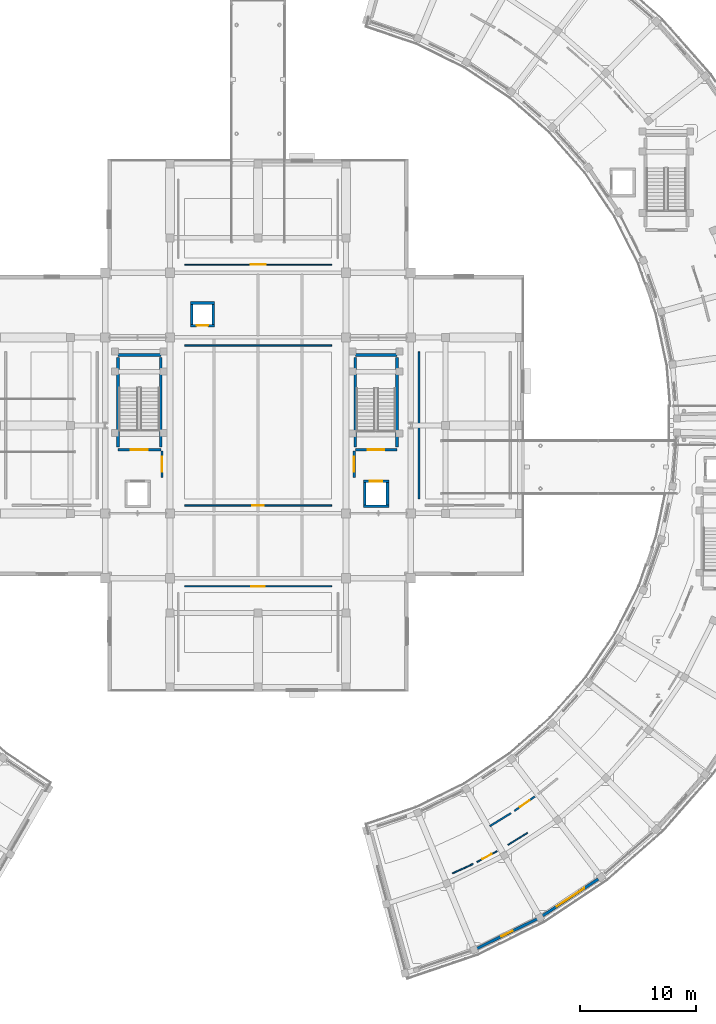
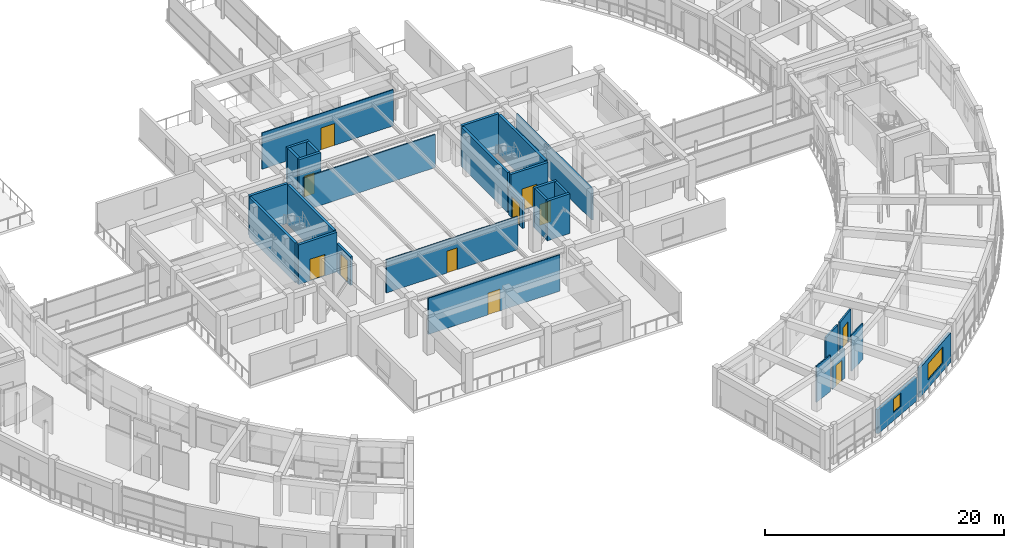
# One storey, part 48 of 70: 30 walls, 11 doors, 2 windows, 13 openings.
"""IFC4 building model written with IfcOpenShell, lengths in metres."""

from ifc_helpers import new_model, si_unit, direction, frame, frame_2d, origin, place, context, subcontext, project, spatial, rectangle, extrude, material, layer, layer_set, type_object, element, fill, save


model = new_model("IFC4")

# Units and contexts
model_context = context("Model", 3, precision=1e-05, world=origin(), true_north=direction((0.0, 1.0)))
body_context = subcontext(model_context, "Body", "Model", "MODEL_VIEW")
ifc_project = project(units=[si_unit("LENGTHUNIT", "METRE"), si_unit("AREAUNIT", "SQUARE_METRE"), si_unit("VOLUMEUNIT", "CUBIC_METRE"), si_unit("PLANEANGLEUNIT", "RADIAN"), si_unit("MASSUNIT", "GRAM", prefix="KILO")], contexts=[model_context])

# Site, building, storey
site_placement = place(None, origin())
site = spatial("IfcSite", under=ifc_project, at=site_placement, CompositionType="ELEMENT")
building_placement = place(site_placement, origin())
building = spatial("IfcBuilding", under=site, at=building_placement, Name="Saryqyr Civic Hall", CompositionType="ELEMENT")
storey_placement = place(building_placement, frame((0.0, 0.0, 13.199951171875)))
storey = spatial("IfcBuildingStorey", under=building, at=storey_placement, Name="L03", CompositionType="ELEMENT", Elevation=13.199951171875)

# Wall, opening, window
ifc_material_1 = material(Name="Precast concrete C40/50", Category="concrete")
ifc_layer_1 = layer(ifc_material_1, 0.239990234375, Name="Precast concrete C40/50")
ifc_layer_set_1 = layer_set([ifc_layer_1], Name="Precast concrete C40/50")
wall_type_1 = type_object("IfcWallType", Name="ENV-WAL-EXT-240", PredefinedType="STANDARD", material=ifc_layer_set_1)
wall_1_placement = place(storey_placement, frame((81.1240234375, 41.368408203125, 0.0), z_axis=(0.0, 0.0, 1.0), x_axis=(-0.897990135392, -0.440015586927, 0.0)))
wall_1 = element("IfcWall", 1, at=wall_1_placement, inside=storey, type_object=wall_type_1, Name="Exterior wall V5-EWO-L03-01", PredefinedType="STANDARD", context=body_context, shape_type="SweptSolid", body=[
    extrude(rectangle(XDim=5.8046875, YDim=0.239990234375, at=frame_2d((2.90234375, 0.0))), origin(), (0.0, 0.0, 1.0), 2.449951171875),
])
opening_1_placement = place(wall_1_placement, frame((2.35205078125, 0.0, 0.85009765625)))
opening_1 = element("IfcOpeningElement", 2, at=opening_1_placement, cuts=wall_1, Name="Opening W-01", PredefinedType="OPENING", context=body_context, shape_type="SweptSolid", body=[
    extrude(rectangle(XDim=1.10009765625, YDim=1.35009765625, at=frame_2d((0.550048828125, 0.675048828125))), frame((0.0, 0.1298828125, 0.0), z_axis=(0.0, -1.0, 0.0), x_axis=(1.0, 0.0, 0.0)), (0.0, 0.0, 1.0), 0.260009765625),
])
ifc_material_2 = material(Name="Anodised aluminium and triple low-E glass", Category="aluminium")
window_type_1 = type_object("IfcWindowType", Name="ENV-WIN-W01", PartitioningType="SINGLE_PANEL", PredefinedType="WINDOW", material=ifc_material_2)
window_1_placement = place(opening_1_placement, origin())
window_1 = element("IfcWindow", 3, at=window_1_placement, inside=storey, type_object=window_type_1, Name="Exterior ribbon window V5-L03-01", OverallHeight=1.35009765625, OverallWidth=1.10009765625, PartitioningType="SINGLE_PANEL", PredefinedType="WINDOW", context=body_context, shape_type="SweptSolid", body=[
    extrude(rectangle(XDim=1.10009765625, YDim=1.35009765625, at=frame_2d((0.550048828125, 0.675048828125))), frame((0.0, 0.030029296875, 0.0), z_axis=(0.0, -1.0, 0.0), x_axis=(1.0, 0.0, 0.0)), (0.0, 0.0, 1.0), 0.06005859375),
])
fill(opening_1, window_1)

wall_2_placement = place(storey_placement, frame((86.400634765625, 44.822265625, 0.0), z_axis=(0.0, 0.0, 1.0), x_axis=(-0.833772811773, -0.552107687276, 0.0)))
wall_2 = element("IfcWall", 4, at=wall_2_placement, inside=storey, type_object=wall_type_1, Name="Exterior wall V5-EWO-L03-02", PredefinedType="STANDARD", context=body_context, shape_type="SweptSolid", body=[
    extrude(rectangle(XDim=5.764892578125, YDim=0.239990234375, at=frame_2d((2.88232421875, 0.0))), origin(), (0.0, 0.0, 1.0), 3.01513671875),
])
opening_2_placement = place(wall_2_placement, frame((1.45703125, 0.0, 0.85009765625)))
opening_2 = element("IfcOpeningElement", 5, at=opening_2_placement, cuts=wall_2, Name="Opening W-24", PredefinedType="OPENING", context=body_context, shape_type="SweptSolid", body=[
    extrude(rectangle(XDim=2.85009765625, YDim=1.64990234375, at=frame_2d((1.425048828125, 0.824951171875))), frame((0.0, 0.1298828125, 0.0), z_axis=(0.0, -1.0, 0.0), x_axis=(1.0, 0.0, 0.0)), (0.0, 0.0, 1.0), 0.260009765625),
])
window_type_2 = type_object("IfcWindowType", Name="ENV-WIN-W24", PartitioningType="SINGLE_PANEL", PredefinedType="WINDOW", material=ifc_material_2)
window_2_placement = place(opening_2_placement, origin())
window_2 = element("IfcWindow", 6, at=window_2_placement, inside=storey, type_object=window_type_2, Name="Exterior ribbon window V5-L03-02", OverallHeight=1.64990234375, OverallWidth=2.85009765625, PartitioningType="SINGLE_PANEL", PredefinedType="WINDOW", context=body_context, shape_type="SweptSolid", body=[
    extrude(rectangle(XDim=2.85009765625, YDim=1.64990234375, at=frame_2d((1.425048828125, 0.824951171875))), frame((0.0, 0.030029296875, 0.0), z_axis=(0.0, -1.0, 0.0), x_axis=(1.0, 0.0, 0.0)), (0.0, 0.0, 1.0), 0.06005859375),
])
fill(opening_2, window_2)

# Wall, opening, door
ifc_material_3 = material(Name="Autoclaved aerated concrete blockwork", Category="masonry")
ifc_layer_2 = layer(ifc_material_3, 0.199951171875, Name="Autoclaved aerated concrete blockwork")
ifc_layer_set_2 = layer_set([ifc_layer_2], Name="Autoclaved aerated concrete blockwork")
wall_type_2 = type_object("IfcWallType", Name="INT-WAL-FIR-200", PredefinedType="PARTITIONING", material=ifc_layer_set_2)
wall_3_placement = place(storey_placement, frame((48.699951171875, 81.800048828125, 0.0), z_axis=(0.0, 0.0, 1.0), x_axis=(0.0, -1.0, 0.0)))
wall_3 = element("IfcWall", 7, at=wall_3_placement, inside=storey, type_object=wall_type_2, Name="Firefighting lift lobby enclosure wall LF-01 L03", PredefinedType="PARTITIONING", context=body_context, shape_type="SweptSolid", body=[
    extrude(rectangle(XDim=2.300048828125, YDim=0.199951171875, at=frame_2d((1.14990234375, 0.0))), origin(), (0.0, 0.0, 1.0), 2.900146484375),
])
opening_3_placement = place(wall_3_placement, frame((0.5, 0.0, 0.0)))
opening_3 = element("IfcOpeningElement", 8, at=opening_3_placement, cuts=wall_3, Name="Opening FD-01", PredefinedType="OPENING", context=body_context, shape_type="SweptSolid", body=[
    extrude(rectangle(XDim=1.300048828125, YDim=2.199951171875, at=frame_2d((0.64990234375, 1.10009765625))), frame((0.0, 0.10986328125, 0.0), z_axis=(0.0, -1.0, 0.0), x_axis=(1.0, 0.0, 0.0)), (0.0, 0.0, 1.0), 0.219970703125),
])
ifc_material_4 = material(Name="Painted galvanized steel", Category="steel")
door_type_1 = type_object("IfcDoorType", Name="INT-DR-FFLOB-1300x2200", OperationType="NOTDEFINED", PredefinedType="DOOR", material=ifc_material_4)
door_1_placement = place(opening_3_placement, origin())
door_1 = element("IfcDoor", 9, at=door_1_placement, inside=storey, type_object=door_type_1, Name="Firefighting lift lobby smoke-control door LF-01 L03", OperationType="SINGLE_SWING_LEFT", OverallHeight=2.199951171875, OverallWidth=1.300048828125, PredefinedType="DOOR", context=body_context, shape_type="SweptSolid", body=[
    extrude(rectangle(XDim=1.300048828125, YDim=2.199951171875, at=frame_2d((0.64990234375, 1.10009765625))), frame((0.0, 0.02490234375, 0.0), z_axis=(0.0, -1.0, 0.0), x_axis=(1.0, 0.0, 0.0)), (0.0, 0.0, 1.0), 0.050048828125),
])
fill(opening_3, door_1)

wall_4_placement = place(storey_placement, frame((65.300048828125, 79.5, 0.0), z_axis=(0.0, 0.0, 1.0), x_axis=(0.0, 1.0, 0.0)))
wall_4 = element("IfcWall", 10, at=wall_4_placement, inside=storey, type_object=wall_type_2, Name="Firefighting lift lobby enclosure wall LF-02 L03", PredefinedType="PARTITIONING", context=body_context, shape_type="SweptSolid", body=[
    extrude(rectangle(XDim=2.300048828125, YDim=0.199951171875, at=frame_2d((1.14990234375, 0.0))), origin(), (0.0, 0.0, 1.0), 2.900146484375),
])
opening_4_placement = place(wall_4_placement, frame((0.5, 0.0, 0.0)))
opening_4 = element("IfcOpeningElement", 11, at=opening_4_placement, cuts=wall_4, Name="Opening FD-01", PredefinedType="OPENING", context=body_context, shape_type="SweptSolid", body=[
    extrude(rectangle(XDim=1.300048828125, YDim=2.199951171875, at=frame_2d((0.64990234375, 1.10009765625))), frame((0.0, 0.10986328125, 0.0), z_axis=(0.0, -1.0, 0.0), x_axis=(1.0, 0.0, 0.0)), (0.0, 0.0, 1.0), 0.219970703125),
])
door_2_placement = place(opening_4_placement, origin())
door_2 = element("IfcDoor", 12, at=door_2_placement, inside=storey, type_object=door_type_1, Name="Firefighting lift lobby smoke-control door LF-02 L03", OperationType="SINGLE_SWING_RIGHT", OverallHeight=2.199951171875, OverallWidth=1.300048828125, PredefinedType="DOOR", context=body_context, shape_type="SweptSolid", body=[
    extrude(rectangle(XDim=1.300048828125, YDim=2.199951171875, at=frame_2d((0.64990234375, 1.10009765625))), frame((0.0, 0.02490234375, 0.0), z_axis=(0.0, -1.0, 0.0), x_axis=(1.0, 0.0, 0.0)), (0.0, 0.0, 1.0), 0.050048828125),
])
fill(opening_4, door_2)

ifc_material_5 = material(Name="Lightweight demountable partition", Category="gypsum")
ifc_layer_3 = layer(ifc_material_5, 0.094970703125, Name="Lightweight demountable partition")
ifc_layer_set_3 = layer_set([ifc_layer_3], Name="Lightweight demountable partition")
wall_type_3 = type_object("IfcWallType", Name="INT-WAL-PRT-095", PredefinedType="PARTITIONING", material=ifc_layer_set_3)
wall_5_placement = place(storey_placement, frame((63.35009765625, 97.89990234375, 0.0), z_axis=(0.0, 0.0, 1.0), x_axis=(-1.0, 0.0, 0.0)))
wall_5 = element("IfcWall", 13, at=wall_5_placement, inside=storey, type_object=wall_type_3, Name="Interior partition PRT-SP-V1-L03-R03-W1", PredefinedType="PARTITIONING", context=body_context, shape_type="SweptSolid", body=[
    extrude(rectangle(XDim=12.7001953125, YDim=0.094970703125, at=frame_2d((6.35009765625, 0.0))), origin(), (0.0, 0.0, 1.0), 3.699951171875),
])
opening_5_placement = place(wall_5_placement, frame((5.699951171875, 0.0, 0.0)))
opening_5 = element("IfcOpeningElement", 14, at=opening_5_placement, cuts=wall_5, Name="Opening D-12", PredefinedType="OPENING", context=body_context, shape_type="SweptSolid", body=[
    extrude(rectangle(XDim=1.300048828125, YDim=2.219970703125, at=frame_2d((0.64990234375, 1.10986328125))), frame((0.0, 0.057373046875, 0.0), z_axis=(0.0, -1.0, 0.0), x_axis=(1.0, 0.0, 0.0)), (0.0, 0.0, 1.0), 0.114990234375),
])
ifc_material_6 = material(Name="Acoustic solid-core oak veneer", Category="wood")
door_type_2 = type_object("IfcDoorType", Name="INT-DR-D-12", OperationType="NOTDEFINED", PredefinedType="DOOR", material=ifc_material_6)
door_3_placement = place(opening_5_placement, origin())
door_3 = element("IfcDoor", 15, at=door_3_placement, inside=storey, type_object=door_type_2, Name="Interior door Members' Policy Briefing Salon", OperationType="SINGLE_SWING_LEFT", OverallHeight=2.219970703125, OverallWidth=1.300048828125, PredefinedType="DOOR", context=body_context, shape_type="SweptSolid", body=[
    extrude(rectangle(XDim=1.300048828125, YDim=2.219970703125, at=frame_2d((0.64990234375, 1.10986328125))), frame((0.0, 0.02490234375, 0.0), z_axis=(0.0, -1.0, 0.0), x_axis=(1.0, 0.0, 0.0)), (0.0, 0.0, 1.0), 0.050048828125),
])
fill(opening_5, door_3)

ifc_material_7 = material(Name="Moisture-resistant gypsum partition", Category="gypsum")
ifc_layer_4 = layer(ifc_material_7, 0.110107421875, Name="Moisture-resistant gypsum partition")
ifc_layer_set_4 = layer_set([ifc_layer_4], Name="Moisture-resistant gypsum partition")
wall_type_4 = type_object("IfcWallType", Name="INT-WAL-PRT-110", PredefinedType="PARTITIONING", material=ifc_layer_set_4)
wall_6_placement = place(storey_placement, frame((75.9140625, 46.281982421875, 0.0), z_axis=(0.0, 0.0, 1.0), x_axis=(0.88111990472, 0.472892919705, 0.0)))
wall_6 = element("IfcWall", 16, at=wall_6_placement, inside=storey, type_object=wall_type_4, Name="Interior partition PRT-SP-V5-L03-R01-W1", PredefinedType="PARTITIONING", context=body_context, shape_type="SweptSolid", body=[
    extrude(rectangle(XDim=1.967041015625, YDim=0.110107421875, at=frame_2d((0.9833984375, 0.0))), origin(), (0.0, 0.0, 1.0), 3.01513671875),
])
opening_6_placement = place(wall_6_placement, frame((0.533935546875, 0.0, 0.0)))
opening_6 = element("IfcOpeningElement", 17, at=opening_6_placement, cuts=wall_6, Name="Opening D-01", PredefinedType="OPENING", context=body_context, shape_type="SweptSolid", body=[
    extrude(rectangle(XDim=0.89990234375, YDim=2.10009765625, at=frame_2d((0.449951171875, 1.050048828125))), frame((0.0, 0.06494140625, 0.0), z_axis=(0.0, -1.0, 0.0), x_axis=(1.0, 0.0, 0.0)), (0.0, 0.0, 1.0), 0.130126953125),
])
door_type_3 = type_object("IfcDoorType", Name="INT-DR-D-01", OperationType="NOTDEFINED", PredefinedType="DOOR", material=ifc_material_6)
door_4_placement = place(opening_6_placement, origin())
door_4 = element("IfcDoor", 18, at=door_4_placement, inside=storey, type_object=door_type_3, Name="Interior door Municipal Finance & Treasury Department", OperationType="SINGLE_SWING_LEFT", OverallHeight=2.10009765625, OverallWidth=0.89990234375, PredefinedType="DOOR", context=body_context, shape_type="SweptSolid", body=[
    extrude(rectangle(XDim=0.89990234375, YDim=2.10009765625, at=frame_2d((0.449951171875, 1.050048828125))), frame((0.0, 0.02490234375, 0.0), z_axis=(0.0, -1.0, 0.0), x_axis=(1.0, 0.0, 0.0)), (0.0, 0.0, 1.0), 0.050048828125),
])
fill(opening_6, door_4)

# Walls
wall_7_placement = place(storey_placement, frame((73.802490234375, 45.3046875, 0.0), z_axis=(0.0, 0.0, 1.0), x_axis=(0.90958706954, 0.415513372741, 0.0)))
element("IfcWall", 19, at=wall_7_placement, inside=storey, type_object=wall_type_4, Name="Interior partition PRT-SP-V5-L03-R01-W2", PredefinedType="PARTITIONING", context=body_context, shape_type="SweptSolid", body=[
    extrude(rectangle(XDim=1.96728515625, YDim=0.110107421875, at=frame_2d((0.983642578125, 0.0))), origin(), (0.0, 0.0, 1.0), 3.699951171875),
])
wall_8_placement = place(storey_placement, frame((78.598876953125, 47.7626953125, 0.0), z_axis=(0.0, 0.0, 1.0), x_axis=(0.849181532579, 0.528101055411, 0.0)))
element("IfcWall", 20, at=wall_8_placement, inside=storey, type_object=wall_type_4, Name="Interior partition PRT-SP-V5-L03-R01-W3", PredefinedType="PARTITIONING", context=body_context, shape_type="SweptSolid", body=[
    extrude(rectangle(XDim=1.967041015625, YDim=0.110107421875, at=frame_2d((0.9833984375, 0.0))), origin(), (0.0, 0.0, 1.0), 3.699951171875),
])

# Wall, opening, door
wall_9_placement = place(storey_placement, frame((50.64990234375, 70.10009765625, 0.0), z_axis=(0.0, 0.0, 1.0), x_axis=(1.0, 0.0, 0.0)))
wall_9 = element("IfcWall", 21, at=wall_9_placement, inside=storey, type_object=wall_type_4, Name="Interior partition PRT-SP-V1-L03-R02-W1", PredefinedType="PARTITIONING", context=body_context, shape_type="SweptSolid", body=[
    extrude(rectangle(XDim=12.7001953125, YDim=0.110107421875, at=frame_2d((6.35009765625, 0.0))), origin(), (0.0, 0.0, 1.0), 3.699951171875),
])
opening_7_placement = place(wall_9_placement, frame((5.77490234375, 0.0, 0.0)))
opening_7 = element("IfcOpeningElement", 22, at=opening_7_placement, cuts=wall_9, Name="Opening D-11", PredefinedType="OPENING", context=body_context, shape_type="SweptSolid", body=[
    extrude(rectangle(XDim=1.14990234375, YDim=2.219970703125, at=frame_2d((0.574951171875, 1.10986328125))), frame((0.0, 0.06494140625, 0.0), z_axis=(0.0, -1.0, 0.0), x_axis=(1.0, 0.0, 0.0)), (0.0, 0.0, 1.0), 0.130126953125),
])
door_type_4 = type_object("IfcDoorType", Name="INT-DR-D-11", OperationType="NOTDEFINED", PredefinedType="DOOR", material=ifc_material_6)
door_5_placement = place(opening_7_placement, origin())
door_5 = element("IfcDoor", 23, at=door_5_placement, inside=storey, type_object=door_type_4, Name="Interior door Municipal Directors' Conference Room", OperationType="SINGLE_SWING_RIGHT", OverallHeight=2.219970703125, OverallWidth=1.14990234375, PredefinedType="DOOR", context=body_context, shape_type="SweptSolid", body=[
    extrude(rectangle(XDim=1.14990234375, YDim=2.219970703125, at=frame_2d((0.574951171875, 1.10986328125))), frame((0.0, 0.02490234375, 0.0), z_axis=(0.0, -1.0, 0.0), x_axis=(1.0, 0.0, 0.0)), (0.0, 0.0, 1.0), 0.050048828125),
])
fill(opening_7, door_5)

ifc_material_8 = material(Name="Metal-stud gypsum board partition", Category="gypsum")
ifc_layer_5 = layer(ifc_material_8, 0.125, Name="Metal-stud gypsum board partition")
ifc_layer_set_5 = layer_set([ifc_layer_5], Name="Metal-stud gypsum board partition")
wall_type_5 = type_object("IfcWallType", Name="INT-WAL-PRT-125", PredefinedType="PARTITIONING", material=ifc_layer_set_5)
wall_10_placement = place(storey_placement, frame((63.35009765625, 77.10009765625, 0.0), z_axis=(0.0, 0.0, 1.0), x_axis=(-1.0, 0.0, 0.0)))
wall_10 = element("IfcWall", 24, at=wall_10_placement, inside=storey, type_object=wall_type_5, Name="Interior partition PRT-SP-V1-L03-R01-W1", PredefinedType="PARTITIONING", context=body_context, shape_type="SweptSolid", body=[
    extrude(rectangle(XDim=12.7001953125, YDim=0.125, at=frame_2d((6.35009765625, 0.0))), origin(), (0.0, 0.0, 1.0), 3.364990234375),
])
opening_8_placement = place(wall_10_placement, frame((5.85009765625, 0.0, 0.0)))
opening_8 = element("IfcOpeningElement", 25, at=opening_8_placement, cuts=wall_10, Name="Opening D-10", PredefinedType="OPENING", context=body_context, shape_type="SweptSolid", body=[
    extrude(rectangle(XDim=1.0, YDim=2.219970703125, at=frame_2d((0.5, 1.10986328125))), frame((0.0, 0.072509765625, 0.0), z_axis=(0.0, -1.0, 0.0), x_axis=(1.0, 0.0, 0.0)), (0.0, 0.0, 1.0), 0.14501953125),
])
door_type_5 = type_object("IfcDoorType", Name="INT-DR-D-10", OperationType="NOTDEFINED", PredefinedType="DOOR", material=ifc_material_6)
door_6_placement = place(opening_8_placement, origin())
door_6 = element("IfcDoor", 26, at=door_6_placement, inside=storey, type_object=door_type_5, Name="Interior door Civic Digital Governance & Hearing Forum", OperationType="SINGLE_SWING_LEFT", OverallHeight=2.219970703125, OverallWidth=1.0, PredefinedType="DOOR", context=body_context, shape_type="SweptSolid", body=[
    extrude(rectangle(XDim=1.0, YDim=2.219970703125, at=frame_2d((0.5, 1.10986328125))), frame((0.0, 0.02490234375, 0.0), z_axis=(0.0, -1.0, 0.0), x_axis=(1.0, 0.0, 0.0)), (0.0, 0.0, 1.0), 0.050048828125),
])
fill(opening_8, door_6)

# Wall
wall_11_placement = place(storey_placement, frame((50.64990234375, 90.89990234375, 0.0), z_axis=(0.0, 0.0, 1.0), x_axis=(1.0, 0.0, 0.0)))
element("IfcWall", 27, at=wall_11_placement, inside=storey, type_object=wall_type_5, Name="Interior partition PRT-SP-V1-L03-R01-W2", PredefinedType="PARTITIONING", context=body_context, shape_type="SweptSolid", body=[
    extrude(rectangle(XDim=12.7001953125, YDim=0.125, at=frame_2d((6.35009765625, 0.0))), origin(), (0.0, 0.0, 1.0), 3.364990234375),
])

# Wall, opening, door
ifc_material_9 = material(Name="Acoustic double-stud gypsum board", Category="gypsum")
ifc_layer_6 = layer(ifc_material_9, 0.155029296875, Name="Acoustic double-stud gypsum board")
ifc_layer_set_6 = layer_set([ifc_layer_6], Name="Acoustic double-stud gypsum board")
wall_type_6 = type_object("IfcWallType", Name="INT-WAL-PRT-155", PredefinedType="PARTITIONING", material=ifc_layer_set_6)
wall_12_placement = place(storey_placement, frame((80.911865234375, 51.940673828125, 0.0), z_axis=(0.0, 0.0, 1.0), x_axis=(-0.817376717526, -0.576103551149, 0.0)))
wall_12 = element("IfcWall", 28, at=wall_12_placement, inside=storey, type_object=wall_type_6, Name="Interior partition PRT-SP-V5-L03-R04-W1", PredefinedType="PARTITIONING", context=body_context, shape_type="SweptSolid", body=[
    extrude(rectangle(XDim=2.150146484375, YDim=0.155029296875, at=frame_2d((1.0751953125, 0.0))), origin(), (0.0, 0.0, 1.0), 3.01513671875),
])
opening_9_placement = place(wall_12_placement, frame((0.574951171875, 0.0, 0.0)))
opening_9 = element("IfcOpeningElement", 29, at=opening_9_placement, cuts=wall_12, Name="Opening D-03", PredefinedType="OPENING", context=body_context, shape_type="SweptSolid", body=[
    extrude(rectangle(XDim=1.0, YDim=2.10009765625, at=frame_2d((0.5, 1.050048828125))), frame((0.0, 0.08740234375, 0.0), z_axis=(0.0, -1.0, 0.0), x_axis=(1.0, 0.0, 0.0)), (0.0, 0.0, 1.0), 0.175048828125),
])
door_type_6 = type_object("IfcDoorType", Name="INT-DR-D-03", OperationType="NOTDEFINED", PredefinedType="DOOR", material=ifc_material_6)
door_7_placement = place(opening_9_placement, origin())
door_7 = element("IfcDoor", 30, at=door_7_placement, inside=storey, type_object=door_type_6, Name="Interior door Standing Committee Room 5 (Audit & Governance)", OperationType="SINGLE_SWING_RIGHT", OverallHeight=2.10009765625, OverallWidth=1.0, PredefinedType="DOOR", context=body_context, shape_type="SweptSolid", body=[
    extrude(rectangle(XDim=1.0, YDim=2.10009765625, at=frame_2d((0.5, 1.050048828125))), frame((0.0, 0.02490234375, 0.0), z_axis=(0.0, -1.0, 0.0), x_axis=(1.0, 0.0, 0.0)), (0.0, 0.0, 1.0), 0.050048828125),
])
fill(opening_9, door_7)

# Walls
wall_13_placement = place(storey_placement, frame((78.85400390625, 50.50390625, 0.0), z_axis=(0.0, 0.0, 1.0), x_axis=(-0.851923307024, -0.523666572304, 0.0)))
element("IfcWall", 31, at=wall_13_placement, inside=storey, type_object=wall_type_6, Name="Interior partition PRT-SP-V5-L03-R04-W3", PredefinedType="PARTITIONING", context=body_context, shape_type="SweptSolid", body=[
    extrude(rectangle(XDim=2.150146484375, YDim=0.155029296875, at=frame_2d((1.0751953125, 0.0))), origin(), (0.0, 0.0, 1.0), 3.01513671875),
])
wall_14_placement = place(storey_placement, frame((70.89990234375, 77.64990234375, 0.0), z_axis=(0.0, 0.0, 1.0), x_axis=(0.0, 1.0, 0.0)))
element("IfcWall", 32, at=wall_14_placement, inside=storey, type_object=wall_type_6, Name="Interior partition PRT-SP-V1-L03-R05-W1", PredefinedType="PARTITIONING", context=body_context, shape_type="SweptSolid", body=[
    extrude(rectangle(XDim=12.7001953125, YDim=0.155029296875, at=frame_2d((6.35009765625, 0.0))), origin(), (0.0, 0.0, 1.0), 3.1650390625),
])
ifc_material_10 = material(Name="Concrete C40/50", Category="concrete")
ifc_layer_7 = layer(ifc_material_10, 0.239990234375, Name="Concrete C40/50")
ifc_layer_set_7 = layer_set([ifc_layer_7], Name="Concrete C40/50")
wall_type_7 = type_object("IfcWallType", Name="INT-WAL-SHR-240", PredefinedType="SHEAR", material=ifc_layer_set_7)
wall_15_placement = place(storey_placement, frame((68.300048828125, 77.02001953125, 0.0), z_axis=(0.0, 0.0, 1.0), x_axis=(-1.0, 0.0, 0.0)))
element("IfcWall", 33, at=wall_15_placement, inside=storey, type_object=wall_type_7, Name="Lift shaft shear wall LF-02-SHW-S-L03", PredefinedType="SHEAR", context=body_context, shape_type="SweptSolid", body=[
    extrude(rectangle(XDim=2.199951171875, YDim=0.239990234375, at=frame_2d((1.10009765625, 0.0))), origin(), (0.0, 0.0, 1.0), 4.050048828125),
])
wall_16_placement = place(storey_placement, frame((68.179931640625, 79.06005859375, 0.0), z_axis=(0.0, 0.0, 1.0), x_axis=(0.0, -1.0, 0.0)))
element("IfcWall", 34, at=wall_16_placement, inside=storey, type_object=wall_type_7, Name="Lift shaft shear wall LF-02-SHW-E-L03", PredefinedType="SHEAR", context=body_context, shape_type="SweptSolid", body=[
    extrude(rectangle(XDim=1.920166015625, YDim=0.239990234375, at=frame_2d((0.9599609375, 0.0))), origin(), (0.0, 0.0, 1.0), 4.050048828125),
])

# Wall, opening, door
wall_17_placement = place(storey_placement, frame((66.10009765625, 79.179931640625, 0.0), z_axis=(0.0, 0.0, 1.0), x_axis=(1.0, 0.0, 0.0)))
wall_17 = element("IfcWall", 35, at=wall_17_placement, inside=storey, type_object=wall_type_7, Name="Lift shaft shear wall LF-02-SHW-N-L03", PredefinedType="SHEAR", context=body_context, shape_type="SweptSolid", body=[
    extrude(rectangle(XDim=2.199951171875, YDim=0.239990234375, at=frame_2d((1.10009765625, 0.0))), origin(), (0.0, 0.0, 1.0), 4.050048828125),
])
opening_10_placement = place(wall_17_placement, frame((0.550048828125, 0.0, 0.0)))
opening_10 = element("IfcOpeningElement", 36, at=opening_10_placement, cuts=wall_17, Name="Opening LD-01", PredefinedType="OPENING", context=body_context, shape_type="SweptSolid", body=[
    extrude(rectangle(XDim=1.10009765625, YDim=2.14990234375, at=frame_2d((0.550048828125, 1.074951171875))), frame((0.0, 0.1298828125, 0.0), z_axis=(0.0, -1.0, 0.0), x_axis=(1.0, 0.0, 0.0)), (0.0, 0.0, 1.0), 0.260009765625),
])
ifc_material_11 = material(Name="Brushed stainless steel", Category="steel")
door_type_7 = type_object("IfcDoorType", Name="INT-DR-LD-1100x2150", OperationType="NOTDEFINED", PredefinedType="DOOR", material=ifc_material_11)
door_8_placement = place(opening_10_placement, origin())
door_8 = element("IfcDoor", 37, at=door_8_placement, inside=storey, type_object=door_type_7, Name="Lift sliding landing door LF-02 L03", OperationType="SLIDING_TO_RIGHT", OverallHeight=2.14990234375, OverallWidth=1.10009765625, PredefinedType="DOOR", context=body_context, shape_type="SweptSolid", body=[
    extrude(rectangle(XDim=1.10009765625, YDim=2.14990234375, at=frame_2d((0.550048828125, 1.074951171875))), frame((0.0, 0.02490234375, 0.0), z_axis=(0.0, -1.0, 0.0), x_axis=(1.0, 0.0, 0.0)), (0.0, 0.0, 1.0), 0.050048828125),
])
fill(opening_10, door_8)

# Wall
wall_18_placement = place(storey_placement, frame((66.219970703125, 77.139892578125, 0.0), z_axis=(0.0, 0.0, 1.0), x_axis=(0.0, 1.0, 0.0)))
element("IfcWall", 38, at=wall_18_placement, inside=storey, type_object=wall_type_7, Name="Lift shaft shear wall LF-02-SHW-W-L03", PredefinedType="SHEAR", context=body_context, shape_type="SweptSolid", body=[
    extrude(rectangle(XDim=1.920166015625, YDim=0.239990234375, at=frame_2d((0.9599609375, 0.0))), origin(), (0.0, 0.0, 1.0), 4.050048828125),
])

# Wall, opening, door
wall_19_placement = place(storey_placement, frame((53.25, 92.6201171875, 0.0), z_axis=(0.0, 0.0, 1.0), x_axis=(-1.0, 0.0, 0.0)))
wall_19 = element("IfcWall", 39, at=wall_19_placement, inside=storey, type_object=wall_type_7, Name="Lift shaft shear wall LF-03-SHW-S-L03", PredefinedType="SHEAR", context=body_context, shape_type="SweptSolid", body=[
    extrude(rectangle(XDim=2.10009765625, YDim=0.239990234375, at=frame_2d((1.050048828125, 0.0))), origin(), (0.0, 0.0, 1.0), 4.050048828125),
])
opening_11_placement = place(wall_19_placement, frame((0.550048828125, 0.0, 0.0)))
opening_11 = element("IfcOpeningElement", 40, at=opening_11_placement, cuts=wall_19, Name="Opening LD-02", PredefinedType="OPENING", context=body_context, shape_type="SweptSolid", body=[
    extrude(rectangle(XDim=1.0, YDim=2.14990234375, at=frame_2d((0.5, 1.074951171875))), frame((0.0, 0.1298828125, 0.0), z_axis=(0.0, -1.0, 0.0), x_axis=(1.0, 0.0, 0.0)), (0.0, 0.0, 1.0), 0.260009765625),
])
door_type_8 = type_object("IfcDoorType", Name="INT-DR-LD-1000x2150", OperationType="NOTDEFINED", PredefinedType="DOOR", material=ifc_material_11)
door_9_placement = place(opening_11_placement, origin())
door_9 = element("IfcDoor", 41, at=door_9_placement, inside=storey, type_object=door_type_8, Name="Lift sliding landing door LF-03 L03", OperationType="SLIDING_TO_LEFT", OverallHeight=2.14990234375, OverallWidth=1.0, PredefinedType="DOOR", context=body_context, shape_type="SweptSolid", body=[
    extrude(rectangle(XDim=1.0, YDim=2.14990234375, at=frame_2d((0.5, 1.074951171875))), frame((0.0, 0.02490234375, 0.0), z_axis=(0.0, -1.0, 0.0), x_axis=(1.0, 0.0, 0.0)), (0.0, 0.0, 1.0), 0.050048828125),
])
fill(opening_11, door_9)

# Walls
wall_20_placement = place(storey_placement, frame((53.1298828125, 94.4599609375, 0.0), z_axis=(0.0, 0.0, 1.0), x_axis=(0.0, -1.0, 0.0)))
element("IfcWall", 42, at=wall_20_placement, inside=storey, type_object=wall_type_7, Name="Lift shaft shear wall LF-03-SHW-E-L03", PredefinedType="SHEAR", context=body_context, shape_type="SweptSolid", body=[
    extrude(rectangle(XDim=1.719970703125, YDim=0.239990234375, at=frame_2d((0.85986328125, 0.0))), origin(), (0.0, 0.0, 1.0), 4.050048828125),
])
wall_21_placement = place(storey_placement, frame((51.14990234375, 94.580078125, 0.0), z_axis=(0.0, 0.0, 1.0), x_axis=(1.0, 0.0, 0.0)))
element("IfcWall", 43, at=wall_21_placement, inside=storey, type_object=wall_type_7, Name="Lift shaft shear wall LF-03-SHW-N-L03", PredefinedType="SHEAR", context=body_context, shape_type="SweptSolid", body=[
    extrude(rectangle(XDim=2.10009765625, YDim=0.239990234375, at=frame_2d((1.050048828125, 0.0))), origin(), (0.0, 0.0, 1.0), 4.050048828125),
])
wall_22_placement = place(storey_placement, frame((51.27001953125, 92.739990234375, 0.0), z_axis=(0.0, 0.0, 1.0), x_axis=(0.0, 1.0, 0.0)))
element("IfcWall", 44, at=wall_22_placement, inside=storey, type_object=wall_type_7, Name="Lift shaft shear wall LF-03-SHW-W-L03", PredefinedType="SHEAR", context=body_context, shape_type="SweptSolid", body=[
    extrude(rectangle(XDim=1.719970703125, YDim=0.239990234375, at=frame_2d((0.85986328125, 0.0))), origin(), (0.0, 0.0, 1.0), 4.050048828125),
])

# Wall, opening, door
ifc_layer_8 = layer(ifc_material_10, 0.25, Name="Concrete C40/50")
ifc_layer_set_8 = layer_set([ifc_layer_8], Name="Concrete C40/50")
wall_type_8 = type_object("IfcWallType", Name="INT-WAL-SHR-250", PredefinedType="SHEAR", material=ifc_layer_set_8)
wall_23_placement = place(storey_placement, frame((48.60009765625, 81.89990234375, 0.0), z_axis=(0.0, 0.0, 1.0), x_axis=(-1.0, 0.0, 0.0)))
wall_23 = element("IfcWall", 45, at=wall_23_placement, inside=storey, type_object=wall_type_8, Name="Protected stair shaft wall ST-1-SW1-L03", PredefinedType="SHEAR", context=body_context, shape_type="SweptSolid", body=[
    extrude(rectangle(XDim=3.7001953125, YDim=0.25, at=frame_2d((1.85009765625, 0.0))), origin(), (0.0, 0.0, 1.0), 4.050048828125),
])
opening_12_placement = place(wall_23_placement, frame((1.125, 0.0, 0.0)))
opening_12 = element("IfcOpeningElement", 46, at=opening_12_placement, cuts=wall_23, Name="Opening SD-02", PredefinedType="OPENING", context=body_context, shape_type="SweptSolid", body=[
    extrude(rectangle(XDim=1.449951171875, YDim=2.199951171875, at=frame_2d((0.72509765625, 1.10009765625))), frame((0.0, 0.135009765625, 0.0), z_axis=(0.0, -1.0, 0.0), x_axis=(1.0, 0.0, 0.0)), (0.0, 0.0, 1.0), 0.27001953125),
])
door_type_9 = type_object("IfcDoorType", Name="INT-DR-STAIR-1450x2200", OperationType="NOTDEFINED", PredefinedType="DOOR", material=ifc_material_4)
door_10_placement = place(opening_12_placement, origin())
door_10 = element("IfcDoor", 47, at=door_10_placement, inside=storey, type_object=door_type_9, Name="Exit stair landing fire door ST-1-L03", OperationType="SINGLE_SWING_LEFT", OverallHeight=2.199951171875, OverallWidth=1.449951171875, PredefinedType="DOOR", context=body_context, shape_type="SweptSolid", body=[
    extrude(rectangle(XDim=1.449951171875, YDim=2.199951171875, at=frame_2d((0.72509765625, 1.10009765625))), frame((0.0, 0.02490234375, 0.0), z_axis=(0.0, -1.0, 0.0), x_axis=(1.0, 0.0, 0.0)), (0.0, 0.0, 1.0), 0.050048828125),
])
fill(opening_12, door_10)

# Walls
wall_24_placement = place(storey_placement, frame((44.89990234375, 82.14990234375, 0.0), z_axis=(0.0, 0.0, 1.0), x_axis=(0.0, 1.0, 0.0)))
element("IfcWall", 48, at=wall_24_placement, inside=storey, type_object=wall_type_8, Name="Protected stair shaft wall ST-1-SW2-L03", PredefinedType="SHEAR", context=body_context, shape_type="SweptSolid", body=[
    extrude(rectangle(XDim=7.7001953125, YDim=0.25, at=frame_2d((3.85009765625, 0.0))), origin(), (0.0, 0.0, 1.0), 4.050048828125),
])
wall_25_placement = place(storey_placement, frame((44.89990234375, 90.10009765625, 0.0), z_axis=(0.0, 0.0, 1.0), x_axis=(1.0, 0.0, 0.0)))
element("IfcWall", 49, at=wall_25_placement, inside=storey, type_object=wall_type_8, Name="Protected stair shaft wall ST-1-SW3-L03", PredefinedType="SHEAR", context=body_context, shape_type="SweptSolid", body=[
    extrude(rectangle(XDim=3.7001953125, YDim=0.25, at=frame_2d((1.85009765625, 0.0))), origin(), (0.0, 0.0, 1.0), 4.050048828125),
])
wall_26_placement = place(storey_placement, frame((48.60009765625, 89.85009765625, 0.0), z_axis=(0.0, 0.0, 1.0), x_axis=(0.0, -1.0, 0.0)))
element("IfcWall", 50, at=wall_26_placement, inside=storey, type_object=wall_type_8, Name="Protected stair shaft wall ST-1-SW4-L03", PredefinedType="SHEAR", context=body_context, shape_type="SweptSolid", body=[
    extrude(rectangle(XDim=7.7001953125, YDim=0.25, at=frame_2d((3.85009765625, 0.0))), origin(), (0.0, 0.0, 1.0), 4.050048828125),
])

# Wall, opening, door
wall_27_placement = place(storey_placement, frame((69.0, 81.89990234375, 0.0), z_axis=(0.0, 0.0, 1.0), x_axis=(-1.0, 0.0, 0.0)))
wall_27 = element("IfcWall", 51, at=wall_27_placement, inside=storey, type_object=wall_type_8, Name="Protected stair shaft wall ST-2-SW1-L03", PredefinedType="SHEAR", context=body_context, shape_type="SweptSolid", body=[
    extrude(rectangle(XDim=3.60009765625, YDim=0.25, at=frame_2d((1.800048828125, 0.0))), origin(), (0.0, 0.0, 1.0), 4.050048828125),
])
opening_13_placement = place(wall_27_placement, frame((1.074951171875, 0.0, 0.0)))
opening_13 = element("IfcOpeningElement", 52, at=opening_13_placement, cuts=wall_27, Name="Opening SD-02", PredefinedType="OPENING", context=body_context, shape_type="SweptSolid", body=[
    extrude(rectangle(XDim=1.449951171875, YDim=2.199951171875, at=frame_2d((0.72509765625, 1.10009765625))), frame((0.0, 0.135009765625, 0.0), z_axis=(0.0, -1.0, 0.0), x_axis=(1.0, 0.0, 0.0)), (0.0, 0.0, 1.0), 0.27001953125),
])
door_11_placement = place(opening_13_placement, origin())
door_11 = element("IfcDoor", 53, at=door_11_placement, inside=storey, type_object=door_type_9, Name="Exit stair landing fire door ST-2-L03", OperationType="SINGLE_SWING_RIGHT", OverallHeight=2.199951171875, OverallWidth=1.449951171875, PredefinedType="DOOR", context=body_context, shape_type="SweptSolid", body=[
    extrude(rectangle(XDim=1.449951171875, YDim=2.199951171875, at=frame_2d((0.72509765625, 1.10009765625))), frame((0.0, 0.02490234375, 0.0), z_axis=(0.0, -1.0, 0.0), x_axis=(1.0, 0.0, 0.0)), (0.0, 0.0, 1.0), 0.050048828125),
])
fill(opening_13, door_11)

# Walls
wall_28_placement = place(storey_placement, frame((65.39990234375, 82.14990234375, 0.0), z_axis=(0.0, 0.0, 1.0), x_axis=(0.0, 1.0, 0.0)))
element("IfcWall", 54, at=wall_28_placement, inside=storey, type_object=wall_type_8, Name="Protected stair shaft wall ST-2-SW2-L03", PredefinedType="SHEAR", context=body_context, shape_type="SweptSolid", body=[
    extrude(rectangle(XDim=7.7001953125, YDim=0.25, at=frame_2d((3.85009765625, 0.0))), origin(), (0.0, 0.0, 1.0), 4.050048828125),
])
wall_29_placement = place(storey_placement, frame((65.39990234375, 90.10009765625, 0.0), z_axis=(0.0, 0.0, 1.0), x_axis=(1.0, 0.0, 0.0)))
element("IfcWall", 55, at=wall_29_placement, inside=storey, type_object=wall_type_8, Name="Protected stair shaft wall ST-2-SW3-L03", PredefinedType="SHEAR", context=body_context, shape_type="SweptSolid", body=[
    extrude(rectangle(XDim=3.60009765625, YDim=0.25, at=frame_2d((1.800048828125, 0.0))), origin(), (0.0, 0.0, 1.0), 4.050048828125),
])
wall_30_placement = place(storey_placement, frame((69.0, 89.85009765625, 0.0), z_axis=(0.0, 0.0, 1.0), x_axis=(0.0, -1.0, 0.0)))
element("IfcWall", 56, at=wall_30_placement, inside=storey, type_object=wall_type_8, Name="Protected stair shaft wall ST-2-SW4-L03", PredefinedType="SHEAR", context=body_context, shape_type="SweptSolid", body=[
    extrude(rectangle(XDim=7.7001953125, YDim=0.25, at=frame_2d((3.85009765625, 0.0))), origin(), (0.0, 0.0, 1.0), 4.050048828125),
])

save(model, "model.ifc")
